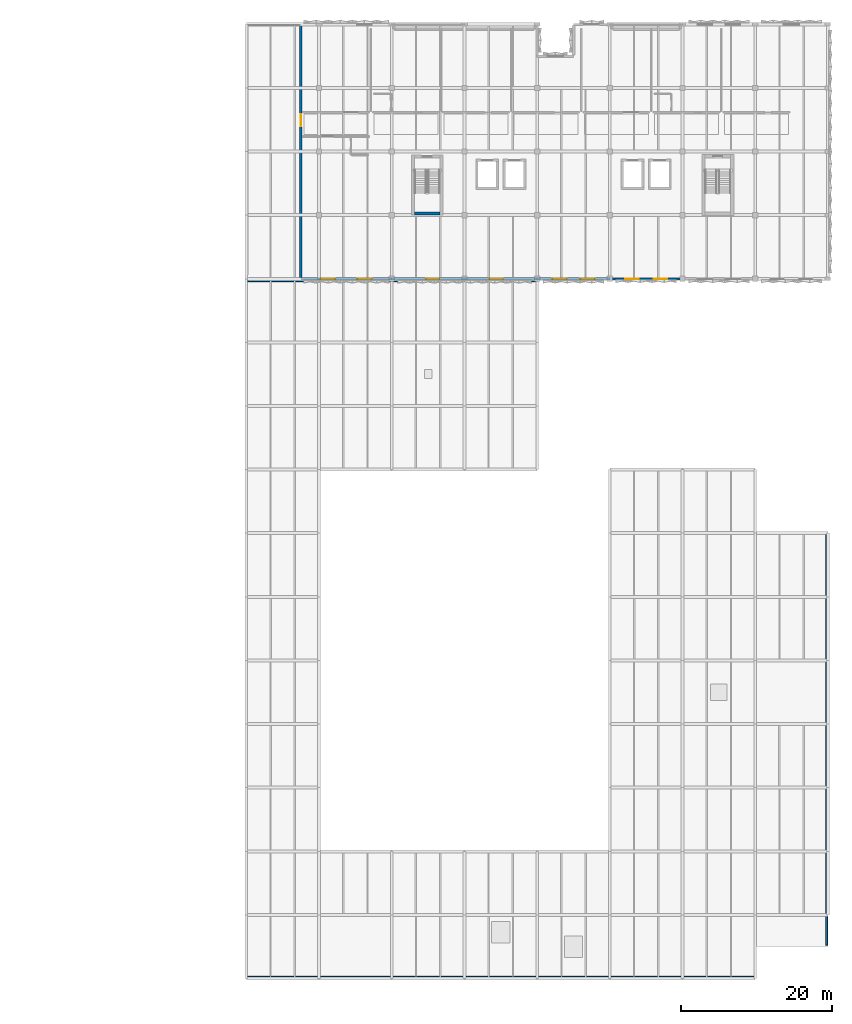
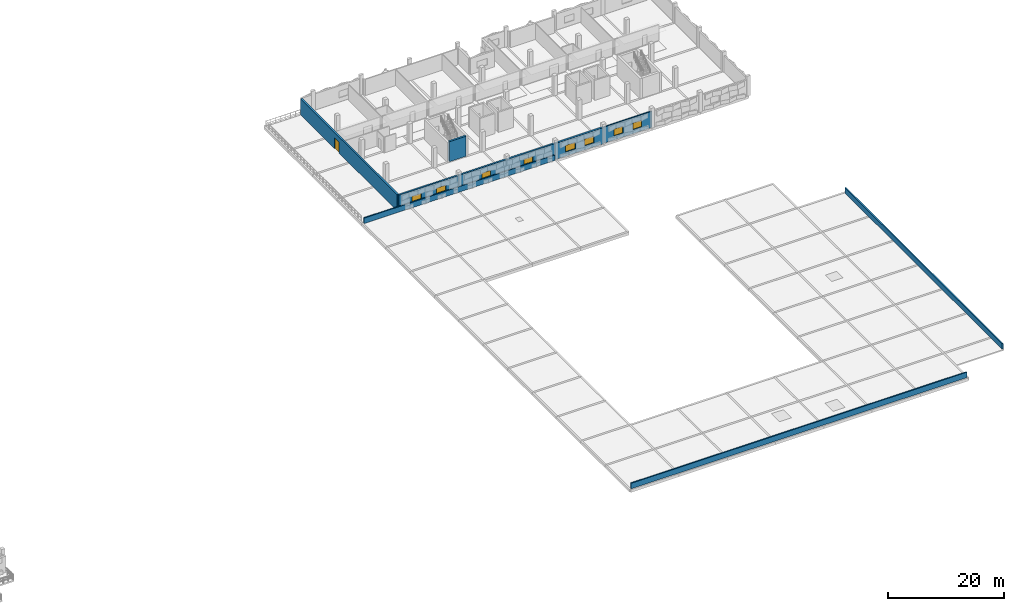
# One storey, part 14 of 24: 9 walls, 8 windows, 1 door, 9 openings.
"""IFC4 building model written with IfcOpenShell, lengths in metres."""

import ifcopenshell
import ifcopenshell.guid

model = None  # the IFC model being written
_history = None  # IfcOwnerHistory: only IFC2X3 demands one
_inside = {}  # id of a spatial element -> (the spatial element, [elements in it])
_under = {}  # id of a project, library or spatial element -> (it, [spatial elements below it])
_declared = {}  # id of a project -> (the project, [libraries it declares])
_typed = {}  # id of a type object -> (the type object, [elements of that type])
_made_of = {}  # id of a material, layer set ... -> (it, [elements and type objects made of it])


def new_model(schema):
    """Start an empty IFC model of exactly this schema.

    Asked for "IFC4X3", IfcOpenShell would pick the latest addendum, in which some entities
    have other attributes; the version numbers below select the first issue.
    IFC2X3 requires an IfcOwnerHistory on every rooted entity: one is made here for all.
    """
    global model, _history
    if schema == "IFC4X3":
        model = ifcopenshell.file(schema_version=(4, 3, 0, 0))
    else:
        model = ifcopenshell.file(schema=schema)
    _inside.clear()
    _under.clear()
    _declared.clear()
    _typed.clear()
    _made_of.clear()
    _history = None
    if model.schema == "IFC2X3":
        org = make("IfcOrganization", Name="unknown")
        user = make(
            "IfcPersonAndOrganization",
            ThePerson=make("IfcPerson", FamilyName="unknown"),
            TheOrganization=org,
        )
        app = make(
            "IfcApplication",
            ApplicationDeveloper=org,
            Version="unknown",
            ApplicationFullName="unknown",
            ApplicationIdentifier="unknown",
        )
        _history = make(
            "IfcOwnerHistory",
            OwningUser=user,
            OwningApplication=app,
            ChangeAction="ADDED",
            CreationDate=0,
        )
    return model


def make(cls, **values):
    """One entity of the class cls with the attributes given. An attribute that is None is left unset."""
    return model.create_entity(
        cls, **{name: value for name, value in values.items() if value is not None}
    )


def rooted(cls, **values):
    """An entity with a GlobalId (a new one), such as an element, a storey or a relation."""
    return make(cls, GlobalId=ifcopenshell.guid.new(), OwnerHistory=_history, **values)


def si_unit(unit_type, name, prefix=None):
    """IfcSIUnit, for example si_unit("LENGTHUNIT", "METRE", prefix="MILLI")."""
    return make("IfcSIUnit", UnitType=unit_type, Prefix=prefix, Name=name)


def assignment(units):
    """IfcUnitAssignment: the units of a project."""
    return None if units is None else make("IfcUnitAssignment", Units=units)


def point(xyz):
    """IfcCartesianPoint."""
    return None if xyz is None else make("IfcCartesianPoint", Coordinates=xyz)


def direction(xyz):
    """IfcDirection."""
    return None if xyz is None else make("IfcDirection", DirectionRatios=xyz)


def frame(location, z_axis=None, x_axis=None):
    """IfcAxis2Placement3D, a coordinate frame: its origin and axes. An axis left out is left unset."""
    return make(
        "IfcAxis2Placement3D",
        Location=point(location),
        Axis=direction(z_axis),
        RefDirection=direction(x_axis),
    )


def frame_2d(location, x_axis=None):
    """IfcAxis2Placement2D, a coordinate frame in the plane: its origin and x axis."""
    return make(
        "IfcAxis2Placement2D", Location=point(location), RefDirection=direction(x_axis)
    )


def origin():
    """The frame at (0, 0, 0) with its axes left unset."""
    return frame((0.0, 0.0, 0.0))


def place(relative_to, where):
    """IfcLocalPlacement: puts the frame where relative to a parent placement (None: the world)."""
    return make(
        "IfcLocalPlacement", PlacementRelTo=relative_to, RelativePlacement=where
    )


def context(
    kind, dimensions, precision=None, world=None, true_north=None, identifier=None
):
    """IfcGeometricRepresentationContext, for example the 3D "Model" context."""
    return make(
        "IfcGeometricRepresentationContext",
        ContextIdentifier=identifier,
        ContextType=kind,
        CoordinateSpaceDimension=dimensions,
        Precision=precision,
        WorldCoordinateSystem=world,
        TrueNorth=true_north,
    )


def subcontext(parent, identifier, kind, view, scale=None):
    """IfcGeometricRepresentationSubContext, for example "Body" below "Model"."""
    return make(
        "IfcGeometricRepresentationSubContext",
        ContextIdentifier=identifier,
        ContextType=kind,
        ParentContext=parent,
        TargetScale=scale,
        TargetView=view,
    )


def project(units=None, contexts=None):
    """IfcProject with its units and contexts."""
    return rooted(
        "IfcProject",
        Name="project",
        RepresentationContexts=contexts,
        UnitsInContext=assignment(units),
    )


def spatial(cls, under=None, at=None, **own):
    """A site, building, storey or space (cls), placed at a placement, below another one or the project."""
    s = rooted(cls, ObjectPlacement=at, **own)
    if under is not None:
        _under.setdefault(under.id(), (under, []))[1].append(s)
    return s


def profile(cls, at=None, kind="AREA", **sizes):
    """A parametric profile (cls). Its sizes go by their IFC names, for example OverallWidth=200.0."""
    return make(cls, ProfileType=kind, Position=at, **sizes)


def rectangle(**sizes):
    """IfcRectangleProfileDef."""
    return profile("IfcRectangleProfileDef", **sizes)


def extrude(swept, where, along, depth):
    """IfcExtrudedAreaSolid: the profile swept, set in the frame where, extruded along a direction by depth."""
    return make(
        "IfcExtrudedAreaSolid",
        SweptArea=swept,
        Position=where,
        ExtrudedDirection=direction(along),
        Depth=depth,
    )


def shape(context_of_items, identifier, shape_type, items):
    """IfcShapeRepresentation: the items that make up one representation, for example the "Body"."""
    return make(
        "IfcShapeRepresentation",
        ContextOfItems=context_of_items,
        RepresentationIdentifier=identifier,
        RepresentationType=shape_type,
        Items=items,
    )


def material(Name=None, Category=None):
    """IfcMaterial."""
    return make("IfcMaterial", Name=Name, Category=Category)


def layer(
    of_material, thickness, ventilated=None, Name=None, Category=None, Priority=None
):
    """IfcMaterialLayer: one layer of a wall or slab, of a material (None: an air gap)."""
    return make(
        "IfcMaterialLayer",
        Material=of_material,
        LayerThickness=thickness,
        IsVentilated=ventilated,
        Name=Name,
        Category=Category,
        Priority=Priority,
    )


def layer_set(layers, Name=None):
    """IfcMaterialLayerSet."""
    return make("IfcMaterialLayerSet", MaterialLayers=layers, LayerSetName=Name)


def made_of(thing, what):
    """Note that an element or type object is made of a material, layer set ...; save() writes the relation."""
    if what is not None:
        _made_of.setdefault(what.id(), (what, []))[1].append(thing)
    return thing


def type_object(cls, material=None, **own):
    """A type object (cls), such as IfcWallType, which elements share."""
    return made_of(rooted(cls, **own), material)


def element(
    cls,
    number,
    at=None,
    inside=None,
    cuts=None,
    type_object=None,
    material=None,
    context=None,
    identifier="Body",
    shape_type=None,
    held_by="IfcProductDefinitionShape",
    body=None,
    shapes=None,
    **own,
):
    """One element of the class cls, such as IfcWall. Its Tag is "e" and its number.

    at: its placement. inside: the storey or other place that contains it. cuts: it is an
    opening in that element (IfcRelVoidsElement). A single representation is given by context,
    identifier, shape_type and body (its items); several are given by shapes. held_by: the class
    of the entity that holds the representations. save() writes the other relations.
    """
    e = rooted(cls, Tag="e%d" % number, ObjectPlacement=at, **own)
    if body is not None:
        shapes = [shape(context, identifier, shape_type, body)]
    if shapes is not None:
        e.Representation = make(held_by, Representations=shapes)
    if inside is not None:
        _inside.setdefault(inside.id(), (inside, []))[1].append(e)
    if cuts is not None:
        rooted(
            "IfcRelVoidsElement", RelatingBuildingElement=cuts, RelatedOpeningElement=e
        )
    if type_object is not None:
        _typed.setdefault(type_object.id(), (type_object, []))[1].append(e)
    return made_of(e, material)


def fill(opening, filler):
    """IfcRelFillsElement: the door or window that sits in an opening."""
    return rooted(
        "IfcRelFillsElement",
        RelatingOpeningElement=opening,
        RelatedBuildingElement=filler,
    )


def aggregate(whole, parts):
    """IfcRelAggregates: a whole, such as a stair, and the parts it consists of."""
    return rooted("IfcRelAggregates", RelatingObject=whole, RelatedObjects=parts)


def save(model, path):
    """Write the relations noted so far, then the file.

    IfcRelAggregates (storeys below a building ...), IfcRelContainedInSpatialStructure (elements
    in a storey), IfcRelDefinesByType, IfcRelAssociatesMaterial and IfcRelDeclares: one each for
    every whole, place, type object, material and project.
    """
    for whole, parts in _under.values():
        aggregate(whole, parts)
    for where, things in _inside.values():
        rooted(
            "IfcRelContainedInSpatialStructure",
            RelatedElements=things,
            RelatingStructure=where,
        )
    for kind, things in _typed.values():
        rooted("IfcRelDefinesByType", RelatedObjects=things, RelatingType=kind)
    for what, things in _made_of.values():
        rooted("IfcRelAssociatesMaterial", RelatedObjects=things, RelatingMaterial=what)
    for by, libraries in _declared.values():
        rooted("IfcRelDeclares", RelatingContext=by, RelatedDefinitions=libraries)
    model.write(path)


model = new_model("IFC4")

# Units and contexts
model_context = context("Model", 3, precision=1e-05, world=origin(), true_north=direction((0.0, 1.0)))
body_context = subcontext(model_context, "Body", "Model", "MODEL_VIEW")
ifc_project = project(units=[si_unit("LENGTHUNIT", "METRE"), si_unit("AREAUNIT", "SQUARE_METRE"), si_unit("VOLUMEUNIT", "CUBIC_METRE"), si_unit("PLANEANGLEUNIT", "RADIAN"), si_unit("MASSUNIT", "GRAM", prefix="KILO")], contexts=[model_context])

# Site, building, storey
site_placement = place(None, origin())
site = spatial("IfcSite", under=ifc_project, at=site_placement, CompositionType="ELEMENT")
building_placement = place(site_placement, origin())
building = spatial("IfcBuilding", under=site, at=building_placement, Name="Oolite Switchyard Hospital", CompositionType="ELEMENT")
storey_placement = place(building_placement, frame((0.0, 0.0, 22.0)))
storey = spatial("IfcBuildingStorey", under=building, at=storey_placement, Name="L05", CompositionType="ELEMENT", Elevation=22.0)

# Wall, openings, windows
ifc_material_1 = material(Name="Precast oolitic limestone architectural concrete C40/50", Category="masonry")
ifc_layer_1 = layer(ifc_material_1, 0.260009765625)
ifc_layer_set_1 = layer_set([ifc_layer_1], Name="WAL-EXT-260")
wall_type_1 = type_object("IfcWallType", Name="WAL-EXT-260", PredefinedType="SOLIDWALL", material=ifc_layer_set_1)
wall_1_placement = place(storey_placement, frame((192.0, 100.800048828125, 0.0), z_axis=(0.0, 0.0, 1.0), x_axis=(-1.0, 0.0, 0.0)))
wall_1 = element("IfcWall", 1, at=wall_1_placement, inside=storey, type_object=wall_type_1, Name="L05 Exterior Spandrel Wall 317", PredefinedType="SOLIDWALL", context=body_context, shape_type="SweptSolid", body=[
    extrude(rectangle(XDim=9.60009765625, YDim=0.260009765625, at=frame_2d((4.800048828125, 0.0))), origin(), (0.0, 0.0, 1.0), 3.389892578125),
])
opening_1_placement = place(wall_1_placement, frame((2.041015625, 0.0, 0.85009765625)))
opening_1 = element("IfcOpeningElement", 2, at=opening_1_placement, cuts=wall_1, Name="Opening WN-0202", PredefinedType="OPENING", context=body_context, shape_type="SweptSolid", body=[
    extrude(rectangle(XDim=1.75, YDim=1.39990234375, at=frame_2d((0.875, 0.699951171875))), frame((0.0, 0.14013671875, 0.0), z_axis=(0.0, -1.0, 0.0), x_axis=(1.0, 0.0, 0.0)), (0.0, 0.0, 1.0), 0.280029296875),
])
opening_2_placement = place(wall_1_placement, frame((5.80908203125, 0.0, 0.85009765625)))
opening_2 = element("IfcOpeningElement", 3, at=opening_2_placement, cuts=wall_1, Name="Opening WN-0203", PredefinedType="OPENING", context=body_context, shape_type="SweptSolid", body=[
    extrude(rectangle(XDim=1.75, YDim=1.39990234375, at=frame_2d((0.875, 0.699951171875))), frame((0.0, 0.14013671875, 0.0), z_axis=(0.0, -1.0, 0.0), x_axis=(1.0, 0.0, 0.0)), (0.0, 0.0, 1.0), 0.280029296875),
])
ifc_material_2 = material(Name="Thermally broken aluminum frame with laminated impact glazing", Category="aluminium")
window_type_1 = type_object("IfcWindowType", Name="WIN-IMP-175X140", PartitioningType="SINGLE_PANEL", PredefinedType="WINDOW", material=ifc_material_2)
window_1_placement = place(opening_1_placement, origin())
window_1 = element("IfcWindow", 4, at=window_1_placement, inside=storey, type_object=window_type_1, Name="L05 Hurricane Impact Window WN-0202", OverallHeight=1.39990234375, OverallWidth=1.75, PartitioningType="SINGLE_PANEL", PredefinedType="WINDOW", context=body_context, shape_type="SweptSolid", body=[
    extrude(rectangle(XDim=1.75, YDim=1.39990234375, at=frame_2d((0.875, 0.699951171875))), frame((0.0, 0.030029296875, 0.0), z_axis=(0.0, -1.0, 0.0), x_axis=(1.0, 0.0, 0.0)), (0.0, 0.0, 1.0), 0.06005859375),
])
fill(opening_1, window_1)
window_2_placement = place(opening_2_placement, origin())
window_2 = element("IfcWindow", 5, at=window_2_placement, inside=storey, type_object=window_type_1, Name="L05 Hurricane Impact Window WN-0203", OverallHeight=1.39990234375, OverallWidth=1.75, PartitioningType="SINGLE_PANEL", PredefinedType="WINDOW", context=body_context, shape_type="SweptSolid", body=[
    extrude(rectangle(XDim=1.75, YDim=1.39990234375, at=frame_2d((0.875, 0.699951171875))), frame((0.0, 0.030029296875, 0.0), z_axis=(0.0, -1.0, 0.0), x_axis=(1.0, 0.0, 0.0)), (0.0, 0.0, 1.0), 0.06005859375),
])
fill(opening_2, window_2)

ifc_layer_2 = layer(ifc_material_1, 0.340087890625)
ifc_layer_set_2 = layer_set([ifc_layer_2], Name="WAL-EXT-340")
wall_type_2 = type_object("IfcWallType", Name="WAL-EXT-340", PredefinedType="SOLIDWALL", material=ifc_layer_set_2)
wall_2_placement = place(storey_placement, frame((153.60009765625, 100.800048828125, 0.0), z_axis=(0.0, 0.0, 1.0), x_axis=(-1.0, 0.0, 0.0)))
wall_2 = element("IfcWall", 6, at=wall_2_placement, inside=storey, type_object=wall_type_2, Name="L05 Exterior Spandrel Wall 314", PredefinedType="SOLIDWALL", context=body_context, shape_type="SweptSolid", body=[
    extrude(rectangle(XDim=12.0, YDim=0.340087890625, at=frame_2d((6.0, 0.0))), origin(), (0.0, 0.0, 1.0), 3.389892578125),
])
opening_3_placement = place(wall_2_placement, frame((2.6259765625, 0.0, 0.85009765625)))
opening_3 = element("IfcOpeningElement", 7, at=opening_3_placement, cuts=wall_2, Name="Opening WN-0196", PredefinedType="OPENING", context=body_context, shape_type="SweptSolid", body=[
    extrude(rectangle(XDim=1.89990234375, YDim=1.39990234375, at=frame_2d((0.949951171875, 0.699951171875))), frame((0.0, 0.18017578125, 0.0), z_axis=(0.0, -1.0, 0.0), x_axis=(1.0, 0.0, 0.0)), (0.0, 0.0, 1.0), 0.360107421875),
])
opening_4_placement = place(wall_2_placement, frame((7.47412109375, 0.0, 0.85009765625)))
opening_4 = element("IfcOpeningElement", 8, at=opening_4_placement, cuts=wall_2, Name="Opening WN-0197", PredefinedType="OPENING", context=body_context, shape_type="SweptSolid", body=[
    extrude(rectangle(XDim=1.89990234375, YDim=1.39990234375, at=frame_2d((0.949951171875, 0.699951171875))), frame((0.0, 0.18017578125, 0.0), z_axis=(0.0, -1.0, 0.0), x_axis=(1.0, 0.0, 0.0)), (0.0, 0.0, 1.0), 0.360107421875),
])
window_type_2 = type_object("IfcWindowType", Name="WIN-IMP-190X140", PartitioningType="SINGLE_PANEL", PredefinedType="WINDOW", material=ifc_material_2)
window_3_placement = place(opening_3_placement, origin())
window_3 = element("IfcWindow", 9, at=window_3_placement, inside=storey, type_object=window_type_2, Name="L05 Hurricane Impact Window WN-0196", OverallHeight=1.39990234375, OverallWidth=1.89990234375, PartitioningType="SINGLE_PANEL", PredefinedType="WINDOW", context=body_context, shape_type="SweptSolid", body=[
    extrude(rectangle(XDim=1.89990234375, YDim=1.39990234375, at=frame_2d((0.949951171875, 0.699951171875))), frame((0.0, 0.030029296875, 0.0), z_axis=(0.0, -1.0, 0.0), x_axis=(1.0, 0.0, 0.0)), (0.0, 0.0, 1.0), 0.06005859375),
])
fill(opening_3, window_3)
window_4_placement = place(opening_4_placement, origin())
window_4 = element("IfcWindow", 10, at=window_4_placement, inside=storey, type_object=window_type_2, Name="L05 Hurricane Impact Window WN-0197", OverallHeight=1.39990234375, OverallWidth=1.89990234375, PartitioningType="SINGLE_PANEL", PredefinedType="WINDOW", context=body_context, shape_type="SweptSolid", body=[
    extrude(rectangle(XDim=1.89990234375, YDim=1.39990234375, at=frame_2d((0.949951171875, 0.699951171875))), frame((0.0, 0.030029296875, 0.0), z_axis=(0.0, -1.0, 0.0), x_axis=(1.0, 0.0, 0.0)), (0.0, 0.0, 1.0), 0.06005859375),
])
fill(opening_4, window_4)

# Wall, opening, door
wall_3_placement = place(storey_placement, frame((141.60009765625, 100.9599609375, 0.0), z_axis=(0.0, 0.0, 1.0), x_axis=(0.0, 1.0, 0.0)))
wall_3 = element("IfcWall", 11, at=wall_3_placement, inside=storey, type_object=wall_type_2, Name="L05 Exterior Spandrel Wall 342", PredefinedType="SOLIDWALL", context=body_context, shape_type="SweptSolid", body=[
    extrude(rectangle(XDim=33.280029296875, YDim=0.340087890625, at=frame_2d((16.64013671875, 0.0))), origin(), (0.0, 0.0, 1.0), 3.389892578125),
])
opening_5_placement = place(wall_3_placement, frame((19.989990234375, 0.0, 0.0)))
opening_5 = element("IfcOpeningElement", 12, at=opening_5_placement, cuts=wall_3, Name="Opening EX-25", PredefinedType="OPENING", context=body_context, shape_type="SweptSolid", body=[
    extrude(rectangle(XDim=1.60009765625, YDim=2.300048828125, at=frame_2d((0.800048828125, 1.14990234375))), frame((0.0, 0.18017578125, 0.0), z_axis=(0.0, -1.0, 0.0), x_axis=(1.0, 0.0, 0.0)), (0.0, 0.0, 1.0), 0.360107421875),
])
door_type = type_object("IfcDoorType", Name="DR-TER-160X230", OperationType="NOTDEFINED", PredefinedType="DOOR", material=ifc_material_2)
door_placement = place(opening_5_placement, origin())
door = element("IfcDoor", 13, at=door_placement, inside=storey, type_object=door_type, Name="L05 Exterior EX EX-25", OperationType="SINGLE_SWING_RIGHT", OverallHeight=2.300048828125, OverallWidth=1.60009765625, PredefinedType="DOOR", context=body_context, shape_type="SweptSolid", body=[
    extrude(rectangle(XDim=1.60009765625, YDim=2.300048828125, at=frame_2d((0.800048828125, 1.14990234375))), frame((0.0, 0.02490234375, 0.0), z_axis=(0.0, -1.0, 0.0), x_axis=(1.0, 0.0, 0.0)), (0.0, 0.0, 1.0), 0.050048828125),
])
fill(opening_5, door)

# Wall, openings, windows
ifc_layer_3 = layer(ifc_material_1, 0.360107421875)
ifc_layer_set_3 = layer_set([ifc_layer_3], Name="WAL-EXT-360")
wall_type_3 = type_object("IfcWallType", Name="WAL-EXT-360", PredefinedType="SOLIDWALL", material=ifc_layer_set_3)
wall_4_placement = place(storey_placement, frame((172.800048828125, 100.800048828125, 0.0), z_axis=(0.0, 0.0, 1.0), x_axis=(-1.0, 0.0, 0.0)))
wall_4 = element("IfcWall", 14, at=wall_4_placement, inside=storey, type_object=wall_type_3, Name="L05 Exterior Spandrel Wall 315", PredefinedType="SOLIDWALL", context=body_context, shape_type="SweptSolid", body=[
    extrude(rectangle(XDim=19.199951171875, YDim=0.360107421875, at=frame_2d((9.60009765625, 0.0))), origin(), (0.0, 0.0, 1.0), 3.389892578125),
])
opening_6_placement = place(wall_4_placement, frame((4.537109375, 0.0, 0.85009765625)))
opening_6 = element("IfcOpeningElement", 15, at=opening_6_placement, cuts=wall_4, Name="Opening WN-0198", PredefinedType="OPENING", context=body_context, shape_type="SweptSolid", body=[
    extrude(rectangle(XDim=1.75, YDim=1.39990234375, at=frame_2d((0.875, 0.699951171875))), frame((0.0, 0.18994140625, 0.0), z_axis=(0.0, -1.0, 0.0), x_axis=(1.0, 0.0, 0.0)), (0.0, 0.0, 1.0), 0.380126953125),
])
opening_7_placement = place(wall_4_placement, frame((12.9130859375, 0.0, 0.85009765625)))
opening_7 = element("IfcOpeningElement", 16, at=opening_7_placement, cuts=wall_4, Name="Opening WN-0199", PredefinedType="OPENING", context=body_context, shape_type="SweptSolid", body=[
    extrude(rectangle(XDim=1.75, YDim=1.39990234375, at=frame_2d((0.875, 0.699951171875))), frame((0.0, 0.18994140625, 0.0), z_axis=(0.0, -1.0, 0.0), x_axis=(1.0, 0.0, 0.0)), (0.0, 0.0, 1.0), 0.380126953125),
])
window_5_placement = place(opening_6_placement, origin())
window_5 = element("IfcWindow", 17, at=window_5_placement, inside=storey, type_object=window_type_1, Name="L05 Hurricane Impact Window WN-0198", OverallHeight=1.39990234375, OverallWidth=1.75, PartitioningType="SINGLE_PANEL", PredefinedType="WINDOW", context=body_context, shape_type="SweptSolid", body=[
    extrude(rectangle(XDim=1.75, YDim=1.39990234375, at=frame_2d((0.875, 0.699951171875))), frame((0.0, 0.030029296875, 0.0), z_axis=(0.0, -1.0, 0.0), x_axis=(1.0, 0.0, 0.0)), (0.0, 0.0, 1.0), 0.06005859375),
])
fill(opening_6, window_5)
window_6_placement = place(opening_7_placement, origin())
window_6 = element("IfcWindow", 18, at=window_6_placement, inside=storey, type_object=window_type_1, Name="L05 Hurricane Impact Window WN-0199", OverallHeight=1.39990234375, OverallWidth=1.75, PartitioningType="SINGLE_PANEL", PredefinedType="WINDOW", context=body_context, shape_type="SweptSolid", body=[
    extrude(rectangle(XDim=1.75, YDim=1.39990234375, at=frame_2d((0.875, 0.699951171875))), frame((0.0, 0.030029296875, 0.0), z_axis=(0.0, -1.0, 0.0), x_axis=(1.0, 0.0, 0.0)), (0.0, 0.0, 1.0), 0.06005859375),
])
fill(opening_7, window_6)

ifc_layer_4 = layer(ifc_material_1, 0.3798828125)
ifc_layer_set_4 = layer_set([ifc_layer_4], Name="WAL-EXT-380")
wall_type_4 = type_object("IfcWallType", Name="WAL-EXT-380", PredefinedType="SOLIDWALL", material=ifc_layer_set_4)
wall_5_placement = place(storey_placement, frame((182.39990234375, 100.800048828125, 0.0), z_axis=(0.0, 0.0, 1.0), x_axis=(-1.0, 0.0, 0.0)))
wall_5 = element("IfcWall", 19, at=wall_5_placement, inside=storey, type_object=wall_type_4, Name="L05 Exterior Spandrel Wall 316", PredefinedType="SOLIDWALL", context=body_context, shape_type="SweptSolid", body=[
    extrude(rectangle(XDim=9.599853515625, YDim=0.3798828125, at=frame_2d((4.7998046875, 0.0))), origin(), (0.0, 0.0, 1.0), 3.389892578125),
])
opening_8_placement = place(wall_5_placement, frame((2.001953125, 0.0, 0.85009765625)))
opening_8 = element("IfcOpeningElement", 20, at=opening_8_placement, cuts=wall_5, Name="Opening WN-0200", PredefinedType="OPENING", context=body_context, shape_type="SweptSolid", body=[
    extrude(rectangle(XDim=1.89990234375, YDim=1.39990234375, at=frame_2d((0.949951171875, 0.699951171875))), frame((0.0, 0.199951171875, 0.0), z_axis=(0.0, -1.0, 0.0), x_axis=(1.0, 0.0, 0.0)), (0.0, 0.0, 1.0), 0.39990234375),
])
opening_9_placement = place(wall_5_placement, frame((5.697998046875, 0.0, 0.85009765625)))
opening_9 = element("IfcOpeningElement", 21, at=opening_9_placement, cuts=wall_5, Name="Opening WN-0201", PredefinedType="OPENING", context=body_context, shape_type="SweptSolid", body=[
    extrude(rectangle(XDim=1.89990234375, YDim=1.39990234375, at=frame_2d((0.949951171875, 0.699951171875))), frame((0.0, 0.199951171875, 0.0), z_axis=(0.0, -1.0, 0.0), x_axis=(1.0, 0.0, 0.0)), (0.0, 0.0, 1.0), 0.39990234375),
])
window_7_placement = place(opening_8_placement, origin())
window_7 = element("IfcWindow", 22, at=window_7_placement, inside=storey, type_object=window_type_2, Name="L05 Hurricane Impact Window WN-0200", OverallHeight=1.39990234375, OverallWidth=1.89990234375, PartitioningType="SINGLE_PANEL", PredefinedType="WINDOW", context=body_context, shape_type="SweptSolid", body=[
    extrude(rectangle(XDim=1.89990234375, YDim=1.39990234375, at=frame_2d((0.949951171875, 0.699951171875))), frame((0.0, 0.030029296875, 0.0), z_axis=(0.0, -1.0, 0.0), x_axis=(1.0, 0.0, 0.0)), (0.0, 0.0, 1.0), 0.06005859375),
])
fill(opening_8, window_7)
window_8_placement = place(opening_9_placement, origin())
window_8 = element("IfcWindow", 23, at=window_8_placement, inside=storey, type_object=window_type_2, Name="L05 Hurricane Impact Window WN-0201", OverallHeight=1.39990234375, OverallWidth=1.89990234375, PartitioningType="SINGLE_PANEL", PredefinedType="WINDOW", context=body_context, shape_type="SweptSolid", body=[
    extrude(rectangle(XDim=1.89990234375, YDim=1.39990234375, at=frame_2d((0.949951171875, 0.699951171875))), frame((0.0, 0.030029296875, 0.0), z_axis=(0.0, -1.0, 0.0), x_axis=(1.0, 0.0, 0.0)), (0.0, 0.0, 1.0), 0.06005859375),
])
fill(opening_9, window_8)

# Walls
ifc_layer_5 = layer(ifc_material_1, 0.25)
ifc_layer_set_5 = layer_set([ifc_layer_5], Name="WAL-PAR-250")
wall_type_5 = type_object("IfcWallType", Name="WAL-PAR-250", PredefinedType="PARAPET", material=ifc_layer_set_5)
wall_6_placement = place(storey_placement, frame((134.60009765625, 100.550048828125, 0.0), z_axis=(0.0, 0.0, 1.0), x_axis=(1.0, 0.0, 0.0)))
element("IfcWall", 24, at=wall_6_placement, inside=storey, type_object=wall_type_5, Name="L05 Roof Parapet Wall 5", PredefinedType="PARAPET", context=body_context, shape_type="SweptSolid", body=[
    extrude(rectangle(XDim=38.0, YDim=0.25, at=frame_2d((19.0, 0.0))), origin(), (0.0, 0.0, 1.0), 1.14990234375),
])
wall_7_placement = place(storey_placement, frame((134.60009765625, 8.550048828125, 0.0), z_axis=(0.0, 0.0, 1.0), x_axis=(1.0, 0.0, 0.0)))
element("IfcWall", 25, at=wall_7_placement, inside=storey, type_object=wall_type_5, Name="L05 Roof Parapet Wall 8", PredefinedType="PARAPET", context=body_context, shape_type="SweptSolid", body=[
    extrude(rectangle(XDim=66.7998046875, YDim=0.25, at=frame_2d((33.39990234375, 0.0))), origin(), (0.0, 0.0, 1.0), 1.14990234375),
])
wall_8_placement = place(storey_placement, frame((211.050048828125, 12.800048828125, 0.0), z_axis=(0.0, 0.0, 1.0), x_axis=(0.0, 1.0, 0.0)))
element("IfcWall", 26, at=wall_8_placement, inside=storey, type_object=wall_type_5, Name="L05 Roof Parapet Wall 9", PredefinedType="PARAPET", context=body_context, shape_type="SweptSolid", body=[
    extrude(rectangle(XDim=54.199951171875, YDim=0.25, at=frame_2d((27.10009765625, 0.0))), origin(), (0.0, 0.0, 1.0), 1.14990234375),
])
ifc_material_3 = material(Name="Concrete C50/60", Category="concrete")
ifc_layer_6 = layer(ifc_material_3, 0.39990234375)
ifc_layer_set_6 = layer_set([ifc_layer_6], Name="WAL-SHR-400")
wall_type_6 = type_object("IfcWallType", Name="WAL-SHR-400", PredefinedType="SHEAR", material=ifc_layer_set_6)
wall_9_placement = place(storey_placement, frame((156.60009765625, 109.39990234375, 0.0), z_axis=(0.0, 0.0, 1.0), x_axis=(1.0, 0.0, 0.0)))
element("IfcWall", 27, at=wall_9_placement, inside=storey, type_object=wall_type_6, Name="L05 Core Shear Wall ST-03", PredefinedType="SHEAR", context=body_context, shape_type="SweptSolid", body=[
    extrude(rectangle(XDim=3.35986328125, YDim=0.39990234375, at=frame_2d((1.679931640625, 0.0))), origin(), (0.0, 0.0, 1.0), 4.199951171875),
])

save(model, "model.ifc")
